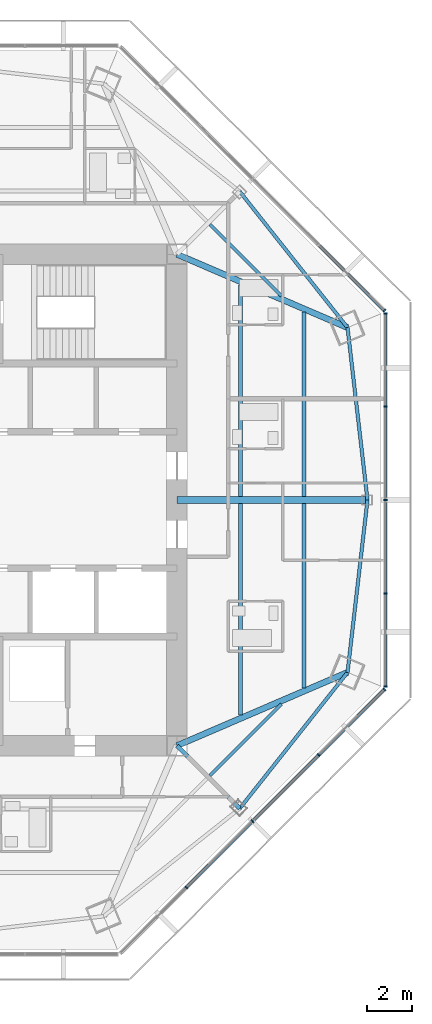
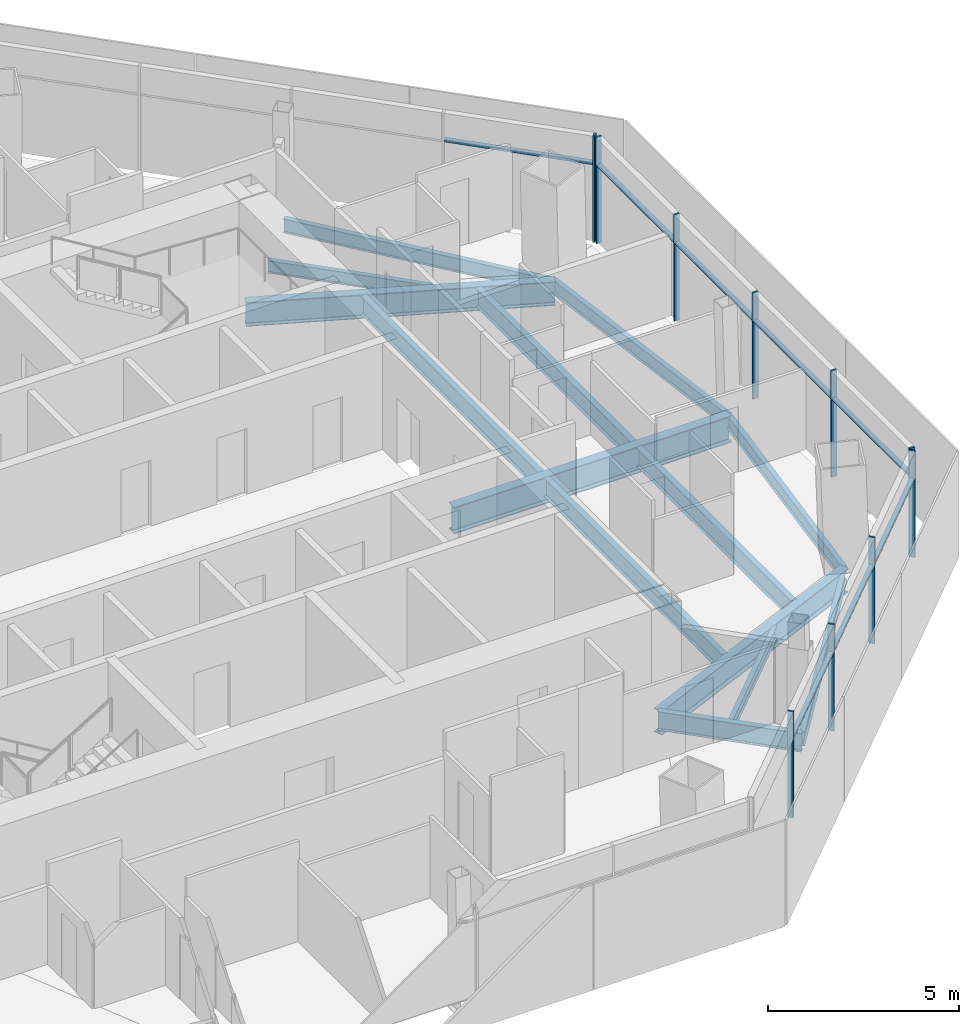
# One storey, part 5 of 14: 18 members, 14 beams, 3 elements without a shape of their own.
"""IFC4 building model written with IfcOpenShell, lengths in metres."""

from ifc_helpers import new_model, si_unit, direction, frame, origin, origin_2d, place, context, subcontext, project, spatial, rectangle, i_section, extrude, source, transform, mapped, material, material_profile, profile_set, type_object, type_shapes, element, aggregate, save


model = new_model("IFC4")

# Units and contexts
model_context = context("Model", 3, precision=1e-05, world=origin(), true_north=direction((0.0, 1.0)))
body_context = subcontext(model_context, "Body", "Model", "MODEL_VIEW")
ifc_project = project(units=[si_unit("LENGTHUNIT", "METRE"), si_unit("AREAUNIT", "SQUARE_METRE"), si_unit("VOLUMEUNIT", "CUBIC_METRE"), si_unit("PLANEANGLEUNIT", "RADIAN"), si_unit("MASSUNIT", "GRAM", prefix="KILO")], contexts=[model_context])

# Site, building, storey
site_placement = place(None, origin())
site = spatial("IfcSite", under=ifc_project, at=site_placement, CompositionType="ELEMENT")
building_placement = place(site_placement, origin())
building = spatial("IfcBuilding", under=site, at=building_placement, Name="Mashrafa Tower", CompositionType="ELEMENT")
storey_placement = place(building_placement, frame((0.0, 0.0, 284.39990234375)))
storey = spatial("IfcBuildingStorey", under=building, at=storey_placement, Name="L69", CompositionType="ELEMENT", Elevation=284.39990234375)

# Beams
ifc_material_1 = material(Name="Steel ASTM A992", Category="steel")
ifc_material_profile_1 = material_profile(ifc_material_1, i_section(OverallWidth=0.140380859375, OverallDepth=0.40380859375, WebThickness=0.007080078125, FlangeThickness=0.01123046875, FilletRadius=0.01025390625, at=origin_2d()), Name="W16X31")
ifc_profile_set_1 = profile_set([ifc_material_profile_1], Name="Steel ASTM A992")
beam_type_1 = type_object("IfcBeamType", Name="Beam W16X31", PredefinedType="BEAM", material=ifc_profile_set_1)
for number, where, z_axis, x_axis, name in (
    (1, (12.242431640625, 12.116455078125, -0.40185546875), (0.707106781187, -0.707106781187, 0.0), (0.707106781187, 0.707106781187, 0.0), "Floor beam L69 019"),
    (2, (15.3828125, -8.97607421875, -0.40185546875), (-0.707106781187, -0.707106781187, 0.0), (0.707106781187, -0.707106781187, 0.0), "Floor beam L69 022"),
):
    element("IfcBeam", number, at=place(storey_placement, frame(where, z_axis=z_axis, x_axis=x_axis)), inside=storey, type_object=beam_type_1, Name=name, PredefinedType="BEAM", context=body_context, shape_type="SweptSolid", body=[
        extrude(i_section(OverallWidth=0.140380859375, OverallDepth=0.40380859375, WebThickness=0.007080078125, FlangeThickness=0.01123046875, FilletRadius=0.01025390625, at=origin_2d()), origin(), (0.0, 0.0, 1.0), 4.441162109375),
    ])
ifc_material_2 = material(Name="Steel ASTM A992", Category="steel")
ifc_material_profile_2 = material_profile(ifc_material_2, i_section(OverallWidth=0.15234375, OverallDepth=0.449462890625, WebThickness=0.007568359375, FlangeThickness=0.0107421875, FilletRadius=0.01025390625, at=origin_2d()), Name="W18X35")
ifc_profile_set_2 = profile_set([ifc_material_profile_2], Name="Steel ASTM A992")
beam_type_2 = type_object("IfcBeamType", Name="Beam W18X35", PredefinedType="BEAM", material=ifc_profile_set_2)
beam_1_placement = place(storey_placement, frame((13.558837890625, -13.558837890625, -0.4248046875), z_axis=(0.621015992224, 0.783797893211, 0.0), x_axis=(-0.783797893211, 0.621015992224, 0.0)))
element("IfcBeam", 3, at=beam_1_placement, inside=storey, type_object=beam_type_2, Name="Spandrel beam L69 052", PredefinedType="BEAM", context=body_context, shape_type="SweptSolid", body=[
    extrude(i_section(OverallWidth=0.15234375, OverallDepth=0.449462890625, WebThickness=0.007568359375, FlangeThickness=0.0107421875, FilletRadius=0.01025390625, at=origin_2d()), origin(), (0.0, 0.0, 1.0), 7.62939453125),
])
beam_2_placement = place(storey_placement, frame((18.296875, -7.578857421875, -0.4248046875), z_axis=(0.115101421286, 0.993353745057, 0.0), x_axis=(-0.993353745057, 0.115101421286, 0.0)))
element("IfcBeam", 4, at=beam_2_placement, inside=storey, type_object=beam_type_2, Name="Spandrel beam L69 054", PredefinedType="BEAM", context=body_context, shape_type="SweptSolid", body=[
    extrude(i_section(OverallWidth=0.15234375, OverallDepth=0.449462890625, WebThickness=0.007568359375, FlangeThickness=0.0107421875, FilletRadius=0.01025390625, at=origin_2d()), origin(), (0.0, 0.0, 1.0), 7.629638671875),
])
beam_3_placement = place(storey_placement, frame((18.296875, 7.578857421875, -0.4248046875), z_axis=(-0.621015992224, 0.783797893211, 0.0), x_axis=(-0.783797893211, -0.621015992224, 0.0)))
element("IfcBeam", 5, at=beam_3_placement, inside=storey, type_object=beam_type_2, Name="Spandrel beam L69 055", PredefinedType="BEAM", context=body_context, shape_type="SweptSolid", body=[
    extrude(i_section(OverallWidth=0.15234375, OverallDepth=0.449462890625, WebThickness=0.007568359375, FlangeThickness=0.0107421875, FilletRadius=0.01025390625, at=origin_2d()), origin(), (0.0, 0.0, 1.0), 7.62939453125),
])
beam_4_placement = place(storey_placement, frame((19.175048828125, 0.0, -0.4248046875), z_axis=(-0.115101421286, 0.993353745057, 0.0), x_axis=(-0.993353745057, -0.115101421286, 0.0)))
element("IfcBeam", 6, at=beam_4_placement, inside=storey, type_object=beam_type_2, Name="Spandrel beam L69 056", PredefinedType="BEAM", context=body_context, shape_type="SweptSolid", body=[
    extrude(i_section(OverallWidth=0.15234375, OverallDepth=0.449462890625, WebThickness=0.007568359375, FlangeThickness=0.0107421875, FilletRadius=0.01025390625, at=origin_2d()), origin(), (0.0, 0.0, 1.0), 7.629638671875),
])
ifc_material_3 = material(Name="Steel ASTM A992", Category="steel")
ifc_material_profile_3 = material_profile(ifc_material_3, i_section(OverallWidth=0.177978515625, OverallDepth=0.599365234375, WebThickness=0.010009765625, FlangeThickness=0.012939453125, FilletRadius=0.012939453125, at=origin_2d()), Name="W24X55")
ifc_profile_set_3 = profile_set([ifc_material_profile_3], Name="Steel ASTM A992")
beam_type_3 = type_object("IfcBeamType", Name="Beam W24X55", PredefinedType="BEAM", material=ifc_profile_set_3)
for number, where, z_axis, x_axis, name in (
    (7, (13.591796875, -0.14599609375, -0.49951171875), (0.0, -1.0, 0.0), (1.0, 0.0, 0.0), "Floor beam L69 020"),
    (8, (13.591796875, 9.455322265625, -0.49951171875), (0.0, -1.0, 0.0), (1.0, 0.0, 0.0), "Floor beam L69 021"),
):
    element("IfcBeam", number, at=place(storey_placement, frame(where, z_axis=z_axis, x_axis=x_axis)), inside=storey, type_object=beam_type_3, Name=name, PredefinedType="BEAM", context=body_context, shape_type="SweptSolid", body=[
        extrude(i_section(OverallWidth=0.177978515625, OverallDepth=0.599365234375, WebThickness=0.010009765625, FlangeThickness=0.012939453125, FilletRadius=0.012939453125, at=origin_2d()), origin(), (0.0, 0.0, 1.0), 9.309326171875),
    ])
for number, where, z_axis, x_axis, name in (
    (9, (16.38330078125, -0.14599609375, -0.49951171875), (0.0, -1.0, 0.0), (1.0, 0.0, 0.0), "Floor beam L69 023"),
    (10, (16.38330078125, 8.255859375, -0.49951171875), (0.0, -1.0, 0.0), (1.0, 0.0, 0.0), "Floor beam L69 024"),
):
    element("IfcBeam", number, at=place(storey_placement, frame(where, z_axis=z_axis, x_axis=x_axis)), inside=storey, type_object=beam_type_3, Name=name, PredefinedType="BEAM", context=body_context, shape_type="SweptSolid", body=[
        extrude(i_section(OverallWidth=0.177978515625, OverallDepth=0.599365234375, WebThickness=0.010009765625, FlangeThickness=0.012939453125, FilletRadius=0.012939453125, at=origin_2d()), origin(), (0.0, 0.0, 1.0), 8.10986328125),
    ])
beam_5_placement = place(storey_placement, frame((10.800048828125, -10.800048828125, -0.49951171875), z_axis=(0.707106781187, -0.707106781187, 0.0), x_axis=(0.707106781187, 0.707106781187, 0.0)))
element("IfcBeam", 11, at=beam_5_placement, inside=storey, type_object=beam_type_3, Name="Radial girder L69 035", PredefinedType="BEAM", context=body_context, shape_type="SweptSolid", body=[
    extrude(i_section(OverallWidth=0.177978515625, OverallDepth=0.599365234375, WebThickness=0.010009765625, FlangeThickness=0.012939453125, FilletRadius=0.012939453125, at=origin_2d()), origin(), (0.0, 0.0, 1.0), 3.901611328125),
])
ifc_material_4 = material(Name="Steel ASTM A992", Category="steel")
ifc_material_profile_4 = material_profile(ifc_material_4, i_section(OverallWidth=0.2666015625, OverallDepth=0.761962890625, WebThickness=0.014404296875, FlangeThickness=0.021484375, FilletRadius=0.0166015625, at=origin_2d()), Name="W30X116")
ifc_profile_set_4 = profile_set([ifc_material_profile_4], Name="Steel ASTM A992")
beam_type_4 = type_object("IfcBeamType", Name="Beam W30X116", PredefinedType="BEAM", material=ifc_profile_set_4)
for number, where, z_axis, x_axis, name in (
    (12, (10.800048828125, -10.800048828125, -0.580810546875), (0.918777843899, 0.394774965721, 0.0), (-0.394774965721, 0.918777843899, 0.0), "Radial girder L69 036"),
    (13, (10.800048828125, 10.800048828125, -0.580810546875), (0.918777843899, -0.394774965721, 0.0), (0.394774965721, 0.918777843899, 0.0), "Radial girder L69 040"),
):
    element("IfcBeam", number, at=place(storey_placement, frame(where, z_axis=z_axis, x_axis=x_axis)), inside=storey, type_object=beam_type_4, Name=name, PredefinedType="BEAM", context=body_context, shape_type="SweptSolid", body=[
        extrude(i_section(OverallWidth=0.2666015625, OverallDepth=0.761962890625, WebThickness=0.014404296875, FlangeThickness=0.021484375, FilletRadius=0.0166015625, at=origin_2d()), origin(), (0.0, 0.0, 1.0), 8.15966796875),
    ])
ifc_material_5 = material(Name="Steel ASTM A992", Category="steel")
ifc_material_profile_5 = material_profile(ifc_material_5, i_section(OverallWidth=0.2919921875, OverallDepth=0.845703125, WebThickness=0.015380859375, FlangeThickness=0.0244140625, FilletRadius=0.017333984375, at=origin_2d()), Name="W33X141")
ifc_profile_set_5 = profile_set([ifc_material_profile_5], Name="Steel ASTM A992")
beam_type_5 = type_object("IfcBeamType", Name="Beam W33X141", PredefinedType="BEAM", material=ifc_profile_set_5)
beam_6_placement = place(storey_placement, frame((10.800048828125, 0.0, -0.622802734375), z_axis=(1.0, 0.0, 0.0), x_axis=(0.0, 1.0, 0.0)))
element("IfcBeam", 14, at=beam_6_placement, inside=storey, type_object=beam_type_5, Name="Radial girder L69 037", PredefinedType="BEAM", context=body_context, shape_type="SweptSolid", body=[
    extrude(i_section(OverallWidth=0.2919921875, OverallDepth=0.845703125, WebThickness=0.015380859375, FlangeThickness=0.0244140625, FilletRadius=0.017333984375, at=origin_2d()), origin(), (0.0, 0.0, 1.0), 8.375),
])

# Curtain wall, members
ifc_material_6 = material(Name="Unitised aluminium curtain wall", Category="aluminium")
curtain_wall_type = type_object("IfcCurtainWallType", Name="Apartment curtain wall, zone 4 CW-D 160 deep", PredefinedType="NOTDEFINED", material=ifc_material_6)
curtain_wall_1_placement = place(storey_placement, origin())
curtain_wall_1 = element("IfcCurtainWall", 15, at=curtain_wall_1_placement, inside=storey, type_object=curtain_wall_type, Name="Apartment curtain wall, zone 4 L69 east", PredefinedType="NOTDEFINED")
ifc_material_7 = material(Name="Extruded aluminium mullion", Category="aluminium")
ifc_material_profile_6 = material_profile(ifc_material_7, rectangle(XDim=0.159912109375, YDim=0.06005859375, at=origin_2d()), Name="Mullion 60x160")
ifc_profile_set_6 = profile_set([ifc_material_profile_6], Name="Extruded aluminium mullion")
member_type_1 = type_object("IfcMemberType", Name="Mullion CW-D 60 x 160", PredefinedType="MULLION", material=ifc_profile_set_6)
shared_shape_1 = source(origin(), body_context, "Body", "SweptSolid", [
    extrude(rectangle(XDim=0.159912109375, YDim=0.06005859375, at=origin_2d()), origin(), (0.0, 0.0, 1.0), 3.400146484375),
])
type_shapes(member_type_1, [shared_shape_1])
member_1_placement = place(storey_placement, frame((19.969482421875, -8.198486328125, 0.0), z_axis=(0.0, 0.0, 1.0), x_axis=(-1.0, 0.0, 0.0)))
member_1 = element("IfcMember", 16, at=member_1_placement, type_object=member_type_1, Name="CW-D mullion 1", PredefinedType="MULLION", context=body_context, shape_type="MappedRepresentation", body=[
    mapped(shared_shape_1, transform((0.0, 0.0, 0.0))),
])
member_2_placement = place(storey_placement, frame((19.969482421875, -4.1142578125, 0.0), z_axis=(0.0, 0.0, 1.0), x_axis=(-1.0, 0.0, 0.0)))
member_2 = element("IfcMember", 17, at=member_2_placement, type_object=member_type_1, Name="CW-D mullion 2", PredefinedType="MULLION", context=body_context, shape_type="MappedRepresentation", body=[
    mapped(shared_shape_1, transform((0.0, 0.0, 0.0))),
])
member_3_placement = place(storey_placement, frame((19.969482421875, 0.0, 0.0), z_axis=(0.0, 0.0, 1.0), x_axis=(-1.0, 0.0, 0.0)))
member_3 = element("IfcMember", 18, at=member_3_placement, type_object=member_type_1, Name="CW-D mullion 3", PredefinedType="MULLION", context=body_context, shape_type="MappedRepresentation", body=[
    mapped(shared_shape_1, transform((0.0, 0.0, 0.0))),
])
member_4_placement = place(storey_placement, frame((19.969482421875, 4.1142578125, 0.0), z_axis=(0.0, 0.0, 1.0), x_axis=(-1.0, 0.0, 0.0)))
member_4 = element("IfcMember", 19, at=member_4_placement, type_object=member_type_1, Name="CW-D mullion 4", PredefinedType="MULLION", context=body_context, shape_type="MappedRepresentation", body=[
    mapped(shared_shape_1, transform((0.0, 0.0, 0.0))),
])
member_5_placement = place(storey_placement, frame((19.969482421875, 8.198486328125, 0.0), z_axis=(0.0, 0.0, 1.0), x_axis=(-1.0, 0.0, 0.0)))
member_5 = element("IfcMember", 20, at=member_5_placement, type_object=member_type_1, Name="CW-D mullion 5", PredefinedType="MULLION", context=body_context, shape_type="MappedRepresentation", body=[
    mapped(shared_shape_1, transform((0.0, 0.0, 0.0))),
])

# Curtain wall, member
curtain_wall_2_placement = place(storey_placement, origin())
curtain_wall_2 = element("IfcCurtainWall", 21, at=curtain_wall_2_placement, inside=storey, type_object=curtain_wall_type, Name="Apartment curtain wall, zone 4 L69 north-east", PredefinedType="NOTDEFINED")
member_6_placement = place(storey_placement, frame((19.917724609375, 8.3232421875, 0.0), z_axis=(0.0, 0.0, 1.0), x_axis=(-0.707106781187, -0.707106781187, 0.0)))
member_6 = element("IfcMember", 22, at=member_6_placement, type_object=member_type_1, Name="CW-D mullion 1", PredefinedType="MULLION", context=body_context, shape_type="MappedRepresentation", body=[
    mapped(shared_shape_1, transform((0.0, 0.0, 0.0))),
])

# Curtain wall, members
curtain_wall_3_placement = place(storey_placement, origin())
curtain_wall_3 = element("IfcCurtainWall", 23, at=curtain_wall_3_placement, inside=storey, type_object=curtain_wall_type, Name="Apartment curtain wall, zone 4 L69 south-east", PredefinedType="NOTDEFINED")
member_7_placement = place(storey_placement, frame((11.21142578125, -17.02978515625, 0.0), z_axis=(0.0, 0.0, 1.0), x_axis=(-0.707106781187, 0.707106781187, 0.0)))
member_7 = element("IfcMember", 24, at=member_7_placement, type_object=member_type_1, Name="CW-D mullion 2", PredefinedType="MULLION", context=body_context, shape_type="MappedRepresentation", body=[
    mapped(shared_shape_1, transform((0.0, 0.0, 0.0))),
])
member_8_placement = place(storey_placement, frame((14.12060546875, -14.12060546875, 0.0), z_axis=(0.0, 0.0, 1.0), x_axis=(-0.707106781187, 0.707106781187, 0.0)))
member_8 = element("IfcMember", 25, at=member_8_placement, type_object=member_type_1, Name="CW-D mullion 3", PredefinedType="MULLION", context=body_context, shape_type="MappedRepresentation", body=[
    mapped(shared_shape_1, transform((0.0, 0.0, 0.0))),
])
member_9_placement = place(storey_placement, frame((17.02978515625, -11.21142578125, 0.0), z_axis=(0.0, 0.0, 1.0), x_axis=(-0.707106781187, 0.707106781187, 0.0)))
member_9 = element("IfcMember", 26, at=member_9_placement, type_object=member_type_1, Name="CW-D mullion 4", PredefinedType="MULLION", context=body_context, shape_type="MappedRepresentation", body=[
    mapped(shared_shape_1, transform((0.0, 0.0, 0.0))),
])
member_10_placement = place(storey_placement, frame((19.917724609375, -8.3232421875, 0.0), z_axis=(0.0, 0.0, 1.0), x_axis=(-0.707106781187, 0.707106781187, 0.0)))
member_10 = element("IfcMember", 27, at=member_10_placement, type_object=member_type_1, Name="CW-D mullion 5", PredefinedType="MULLION", context=body_context, shape_type="MappedRepresentation", body=[
    mapped(shared_shape_1, transform((0.0, 0.0, 0.0))),
])

# Member
ifc_material_8 = material(Name="Extruded aluminium transom", Category="aluminium")
ifc_material_profile_7 = material_profile(ifc_material_8, rectangle(XDim=0.1279296875, YDim=0.074951171875, at=origin_2d()), Name="Transom 75x128")
ifc_profile_set_7 = profile_set([ifc_material_profile_7], Name="Extruded aluminium transom")
member_type_2 = type_object("IfcMemberType", Name="Transom CW-D 75 x 128", PredefinedType="MULLION", material=ifc_profile_set_7)
shared_shape_2 = source(origin(), body_context, "Body", "SweptSolid", [
    extrude(rectangle(XDim=0.1279296875, YDim=0.074951171875, at=origin_2d()), origin(), (0.0, 0.0, 1.0), 4.024169921875),
])
member_11_placement = place(storey_placement, frame((19.969482421875, -8.16845703125, 2.5), z_axis=(0.0, 1.0, 0.0), x_axis=(-1.0, 0.0, 0.0)))
member_11 = element("IfcMember", 28, at=member_11_placement, type_object=member_type_2, Name="CW-D transom 1", PredefinedType="MULLION", context=body_context, shape_type="MappedRepresentation", body=[
    mapped(shared_shape_2, transform((0.0, 0.0, 0.0))),
])

member_12_placement = place(storey_placement, frame((19.969482421875, 4.144287109375, 2.5), z_axis=(0.0, 1.0, 0.0), x_axis=(-1.0, 0.0, 0.0)))
member_12 = element("IfcMember", 29, at=member_12_placement, type_object=member_type_2, Name="CW-D transom 4", PredefinedType="MULLION", context=body_context, shape_type="MappedRepresentation", body=[
    mapped(shared_shape_2, transform((0.0, 0.0, 0.0))),
])

member_13_placement = place(storey_placement, frame((19.896484375, 8.344482421875, 2.5), z_axis=(-0.707076446926, 0.707137114146, 0.0), x_axis=(-0.707137114146, -0.707076446926, 0.0)))
member_13 = element("IfcMember", 30, at=member_13_placement, type_object=member_type_2, Name="CW-D transom 1", PredefinedType="MULLION", context=body_context, shape_type="MappedRepresentation", body=[
    mapped(shared_shape_2, transform((0.0, 0.0, 0.0))),
])

aggregate(curtain_wall_2, [member_6, member_13])

member_14_placement = place(storey_placement, frame((17.051025390625, -11.190185546875, 2.5), z_axis=(0.707076446926, 0.707137114146, 0.0), x_axis=(-0.707137114146, 0.707076446926, 0.0)))
member_14 = element("IfcMember", 31, at=member_14_placement, type_object=member_type_2, Name="CW-D transom 4", PredefinedType="MULLION", context=body_context, shape_type="MappedRepresentation", body=[
    mapped(shared_shape_2, transform((0.0, 0.0, 0.0))),
])

shared_shape_3 = source(origin(), body_context, "Body", "SweptSolid", [
    extrude(rectangle(XDim=0.1279296875, YDim=0.074951171875, at=origin_2d()), origin(), (0.0, 0.0, 1.0), 4.05419921875),
])
type_shapes(member_type_2, [shared_shape_2, shared_shape_3])
member_15_placement = place(storey_placement, frame((19.969482421875, -4.084228515625, 2.5), z_axis=(0.0, 1.0, 0.0), x_axis=(-1.0, 0.0, 0.0)))
member_15 = element("IfcMember", 32, at=member_15_placement, type_object=member_type_2, Name="CW-D transom 2", PredefinedType="MULLION", context=body_context, shape_type="MappedRepresentation", body=[
    mapped(shared_shape_3, transform((0.0, 0.0, 0.0))),
])

member_16_placement = place(storey_placement, frame((19.969482421875, 0.030029296875, 2.5), z_axis=(0.0, 1.0, 0.0), x_axis=(-1.0, 0.0, 0.0)))
member_16 = element("IfcMember", 33, at=member_16_placement, type_object=member_type_2, Name="CW-D transom 3", PredefinedType="MULLION", context=body_context, shape_type="MappedRepresentation", body=[
    mapped(shared_shape_3, transform((0.0, 0.0, 0.0))),
])

aggregate(curtain_wall_1, [member_1, member_2, member_3, member_4, member_5, member_11, member_15, member_16, member_12])

member_17_placement = place(storey_placement, frame((11.232421875, -17.008544921875, 2.5), z_axis=(0.707136889414, 0.707076671677, 0.0), x_axis=(-0.707076671677, 0.707136889414, 0.0)))
member_17 = element("IfcMember", 34, at=member_17_placement, type_object=member_type_2, Name="CW-D transom 2", PredefinedType="MULLION", context=body_context, shape_type="MappedRepresentation", body=[
    mapped(shared_shape_3, transform((0.0, 0.0, 0.0))),
])

member_18_placement = place(storey_placement, frame((14.141845703125, -14.099365234375, 2.5), z_axis=(0.707076671677, 0.707136889414, 0.0), x_axis=(-0.707136889414, 0.707076671677, 0.0)))
member_18 = element("IfcMember", 35, at=member_18_placement, type_object=member_type_2, Name="CW-D transom 3", PredefinedType="MULLION", context=body_context, shape_type="MappedRepresentation", body=[
    mapped(shared_shape_3, transform((0.0, 0.0, 0.0))),
])

aggregate(curtain_wall_3, [member_7, member_8, member_9, member_10, member_17, member_18, member_14])

save(model, "model.ifc")
